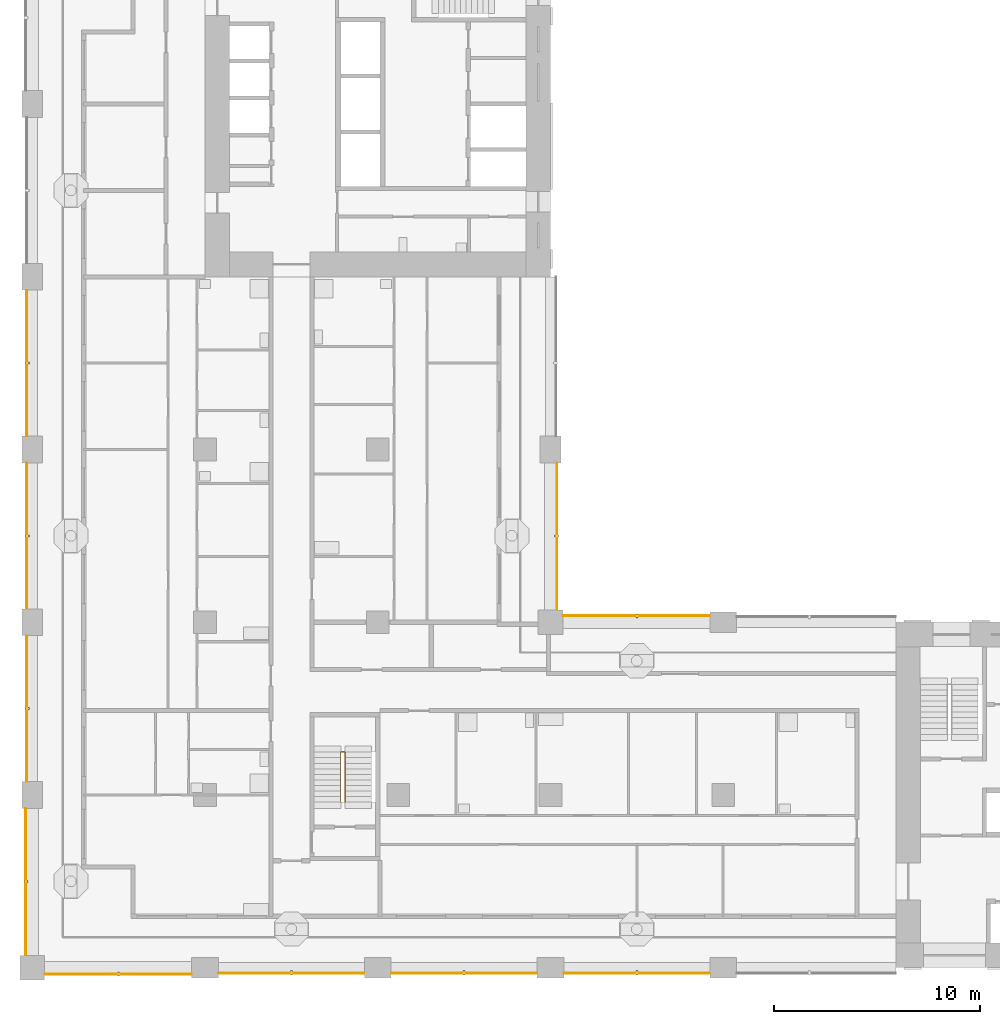
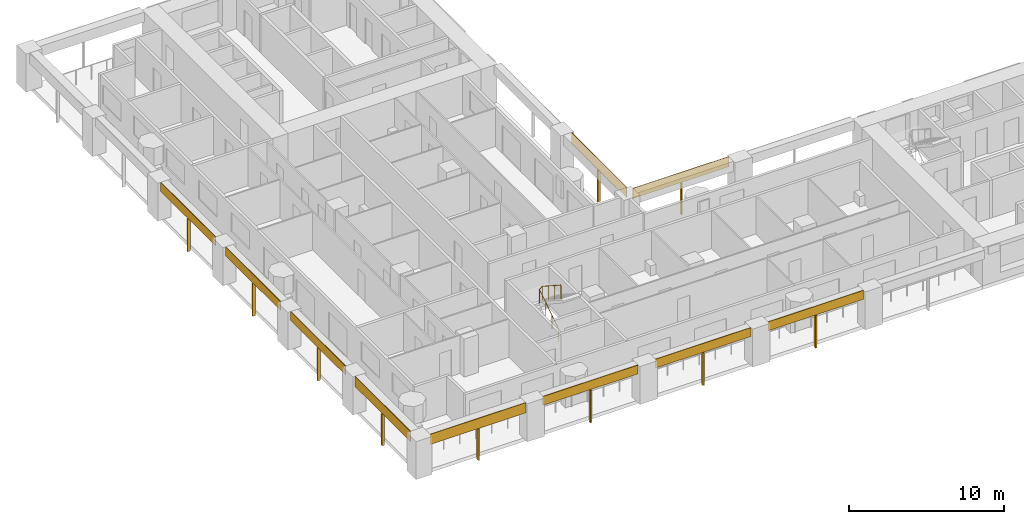
# One storey, part 9 of 18: 20 shading devices, 1 railing.
"""IFC4 building model written with IfcOpenShell, lengths in metres."""

from ifc_helpers import new_model, si_unit, direction, frame, origin, origin_2d, place, context, subcontext, project, spatial, rectangle, circle, extrude, material, layer, layer_set, material_profile, profile_set, type_object, element, save


model = new_model("IFC4")

# Units and contexts
model_context = context("Model", 3, precision=1e-05, world=origin(), true_north=direction((0.0, 1.0)))
body_context = subcontext(model_context, "Body", "Model", "MODEL_VIEW")
ifc_project = project(units=[si_unit("LENGTHUNIT", "METRE"), si_unit("AREAUNIT", "SQUARE_METRE"), si_unit("VOLUMEUNIT", "CUBIC_METRE"), si_unit("PLANEANGLEUNIT", "RADIAN"), si_unit("MASSUNIT", "GRAM", prefix="KILO")], contexts=[model_context])

# Site, building, storey
site_placement = place(None, origin())
site = spatial("IfcSite", under=ifc_project, at=site_placement, CompositionType="ELEMENT")
building_placement = place(site_placement, origin())
building = spatial("IfcBuilding", under=site, at=building_placement, Name="Vermilion Gate Residences", CompositionType="ELEMENT")
storey_placement = place(building_placement, frame((0.0, 0.0, 137.199951171875)))
storey = spatial("IfcBuildingStorey", under=building, at=storey_placement, Name="L35", CompositionType="ELEMENT", Elevation=137.199951171875)

# Shading devices
ifc_material_1 = material(Name="Perforated terracotta", Category="masonry")
ifc_layer = layer(ifc_material_1, 0.0400390625)
ifc_layer_set = layer_set([ifc_layer], Name="PERFORATED TERRACOTTA SCREEN 40")
shading_device_type_1 = type_object("IfcShadingDeviceType", Name="PERFORATED TERRACOTTA SCREEN 40", PredefinedType="SHUTTER", material=ifc_layer_set)
shading_device_1_placement = place(storey_placement, frame((4.175048828125, 8.080078125, 2.2001953125), z_axis=(0.0, 0.0, 1.0), x_axis=(1.0, 0.0, 0.0)))
element("IfcShadingDevice", 1, at=shading_device_1_placement, inside=storey, type_object=shading_device_type_1, Name="SCREEN", PredefinedType="SHUTTER", context=body_context, shape_type="SweptSolid", body=[
    extrude(rectangle(XDim=7.14990234375, YDim=0.0400390625, at=origin_2d()), origin(), (0.0, 0.0, 1.0), 0.800048828125),
])
for number, where, z_axis, x_axis, name in (
    (2, (12.60009765625, 8.1298828125, 2.30029296875), (0.0, 0.0, 1.0), (1.0, 0.0, 0.0), "SCREEN"),
    (3, (21.0, 8.1298828125, 2.30029296875), (0.0, 0.0, 1.0), (1.0, 0.0, 0.0), "SCREEN"),
    (4, (29.39990234375, 8.1298828125, 2.30029296875), (0.0, 0.0, 1.0), (1.0, 0.0, 0.0), "SCREEN"),
):
    element("IfcShadingDevice", number, at=place(storey_placement, frame(where, z_axis=z_axis, x_axis=x_axis)), inside=storey, type_object=shading_device_type_1, Name=name, PredefinedType="SHUTTER", context=body_context, shape_type="SweptSolid", body=[
        extrude(rectangle(XDim=7.10009765625, YDim=0.0400390625, at=origin_2d()), origin(), (0.0, 0.0, 1.0), 0.699951171875),
    ])
for number, where, z_axis, x_axis, name in (
    (5, (29.375, 25.52001953125, 2.2001953125), (0.0, 0.0, 1.0), (-1.0, 0.0, 0.0), "SCREEN"),
    (6, (25.52001953125, 29.375, 2.2001953125), (0.0, 0.0, 1.0), (0.0, 1.0, 0.0), "SCREEN"),
    (7, (-0.320068359375, 12.574951171875, 2.2001953125), (0.0, 0.0, 1.0), (0.0, -1.0, 0.0), "SCREEN"),
):
    element("IfcShadingDevice", number, at=place(storey_placement, frame(where, z_axis=z_axis, x_axis=x_axis)), inside=storey, type_object=shading_device_type_1, Name=name, PredefinedType="SHUTTER", context=body_context, shape_type="SweptSolid", body=[
        extrude(rectangle(XDim=7.14990234375, YDim=0.0400390625, at=origin_2d()), origin(), (0.0, 0.0, 1.0), 0.800048828125),
    ])
for number, where, z_axis, x_axis, name in (
    (8, (-0.27001953125, 21.0, 2.30029296875), (0.0, 0.0, 1.0), (0.0, -1.0, 0.0), "SCREEN"),
    (9, (-0.27001953125, 29.39990234375, 2.30029296875), (0.0, 0.0, 1.0), (0.0, -1.0, 0.0), "SCREEN"),
    (10, (-0.27001953125, 37.800048828125, 2.30029296875), (0.0, 0.0, 1.0), (0.0, -1.0, 0.0), "SCREEN"),
):
    element("IfcShadingDevice", number, at=place(storey_placement, frame(where, z_axis=z_axis, x_axis=x_axis)), inside=storey, type_object=shading_device_type_1, Name=name, PredefinedType="SHUTTER", context=body_context, shape_type="SweptSolid", body=[
        extrude(rectangle(XDim=7.10009765625, YDim=0.0400390625, at=origin_2d()), origin(), (0.0, 0.0, 1.0), 0.699951171875),
    ])

# Railing
ifc_material_2 = material(Name="Steel S355", Category="steel")
railing_type = type_object("IfcRailingType", Name="STAIR GUARD 1100 STEEL", PredefinedType="GUARDRAIL", material=ifc_material_2)
railing_placement = place(storey_placement, frame((15.0, 16.449951171875, 0.175048828125)))
element("IfcRailing", 11, at=railing_placement, inside=storey, type_object=railing_type, Name="Stair well guard STC1-35", PredefinedType="GUARDRAIL", context=body_context, shape_type="SweptSolid", body=[
    extrude(circle(Radius=0.02392578125, at=origin_2d()), frame((0.0, 0.0, 1.076171875), z_axis=(0.0, 0.839153699163, 0.543894354798), x_axis=(-1.0, 0.0, 0.0)), (0.0, 0.0, 1.0), 2.895751953125),
    extrude(circle(Radius=0.02392578125, at=origin_2d()), frame((0.0, 2.429931640625, 2.65087890625), z_axis=(0.752405939678, 0.0, 0.658699705433), x_axis=(0.0, 1.0, 0.0)), (0.0, 0.0, 1.0), 0.265869140625),
    extrude(circle(Radius=0.02392578125, at=origin_2d()), frame((0.199951171875, 2.429931640625, 2.826171875), z_axis=(0.0, -0.839153699163, 0.543894354798), x_axis=(1.0, 0.0, 0.0)), (0.0, 0.0, 1.0), 2.895751953125),
    extrude(circle(Radius=0.02099609375, at=origin_2d()), origin(), (0.0, 0.0, 1.0), 1.052001953125),
    extrude(circle(Radius=0.02099609375, at=origin_2d()), frame((0.0, 0.81005859375, 0.52490234375)), (0.0, 0.0, 1.0), 1.052001953125),
    extrude(circle(Radius=0.02099609375, at=origin_2d()), frame((0.0, 1.619873046875, 1.050048828125)), (0.0, 0.0, 1.0), 1.052001953125),
    extrude(circle(Radius=0.02099609375, at=origin_2d()), frame((0.0, 2.429931640625, 1.574951171875)), (0.0, 0.0, 1.0), 1.052001953125),
    extrude(circle(Radius=0.02099609375, at=origin_2d()), frame((0.199951171875, 2.429931640625, 1.75)), (0.0, 0.0, 1.0), 1.052001953125),
    extrude(circle(Radius=0.02099609375, at=origin_2d()), frame((0.199951171875, 1.619873046875, 2.27490234375)), (0.0, 0.0, 1.0), 1.052001953125),
    extrude(circle(Radius=0.02099609375, at=origin_2d()), frame((0.199951171875, 0.81005859375, 2.800048828125)), (0.0, 0.0, 1.0), 1.052001953125),
    extrude(circle(Radius=0.02099609375, at=origin_2d()), frame((0.199951171875, 0.0, 3.324951171875)), (0.0, 0.0, 1.0), 1.052001953125),
])

# Shading devices
ifc_material_3 = material(Name="Extruded terracotta", Category="masonry")
ifc_material_profile = material_profile(ifc_material_3, rectangle(XDim=0.199951171875, YDim=0.10009765625, at=origin_2d()), Name="BAGUETTE 100 X 200")
ifc_profile_set = profile_set([ifc_material_profile], Name="Extruded terracotta")
shading_device_type_2 = type_object("IfcShadingDeviceType", Name="TERRACOTTA BAGUETTE 100 X 200", PredefinedType="JALOUSIE", material=ifc_profile_set)
shading_device_2_placement = place(storey_placement, frame((4.199951171875, 8.10009765625, -0.280029296875), z_axis=(0.0, 0.0, 1.0), x_axis=(0.0, 1.0, 0.0)))
element("IfcShadingDevice", 12, at=shading_device_2_placement, inside=storey, type_object=shading_device_type_2, Name="BAGUETTE", PredefinedType="JALOUSIE", context=body_context, shape_type="SweptSolid", body=[
    extrude(rectangle(XDim=0.199951171875, YDim=0.10009765625, at=origin_2d()), origin(), (0.0, 0.0, 1.0), 2.47998046875),
])
for number, where, z_axis, x_axis, name in (
    (13, (12.60009765625, 8.14990234375, -0.280029296875), (0.0, 0.0, 1.0), (0.0, 1.0, 0.0), "BAGUETTE"),
    (14, (21.0, 8.14990234375, -0.280029296875), (0.0, 0.0, 1.0), (0.0, 1.0, 0.0), "BAGUETTE"),
    (15, (29.39990234375, 8.14990234375, -0.280029296875), (0.0, 0.0, 1.0), (0.0, 1.0, 0.0), "BAGUETTE"),
):
    element("IfcShadingDevice", number, at=place(storey_placement, frame(where, z_axis=z_axis, x_axis=x_axis)), inside=storey, type_object=shading_device_type_2, Name=name, PredefinedType="JALOUSIE", context=body_context, shape_type="SweptSolid", body=[
        extrude(rectangle(XDim=0.199951171875, YDim=0.10009765625, at=origin_2d()), origin(), (0.0, 0.0, 1.0), 2.580078125),
    ])
for number, where, z_axis, x_axis, name in (
    (16, (29.39990234375, 25.5, -0.280029296875), (0.0, 0.0, 1.0), (0.0, -1.0, 0.0), "BAGUETTE"),
    (17, (25.5, 29.39990234375, -0.280029296875), (0.0, 0.0, 1.0), (-1.0, 0.0, 0.0), "BAGUETTE"),
    (18, (-0.300048828125, 12.60009765625, -0.280029296875), (0.0, 0.0, 1.0), (1.0, 0.0, 0.0), "BAGUETTE"),
):
    element("IfcShadingDevice", number, at=place(storey_placement, frame(where, z_axis=z_axis, x_axis=x_axis)), inside=storey, type_object=shading_device_type_2, Name=name, PredefinedType="JALOUSIE", context=body_context, shape_type="SweptSolid", body=[
        extrude(rectangle(XDim=0.199951171875, YDim=0.10009765625, at=origin_2d()), origin(), (0.0, 0.0, 1.0), 2.47998046875),
    ])
for number, where, z_axis, x_axis, name in (
    (19, (-0.25, 21.0, -0.280029296875), (0.0, 0.0, 1.0), (1.0, 0.0, 0.0), "BAGUETTE"),
    (20, (-0.25, 29.39990234375, -0.280029296875), (0.0, 0.0, 1.0), (1.0, 0.0, 0.0), "BAGUETTE"),
    (21, (-0.25, 37.800048828125, -0.280029296875), (0.0, 0.0, 1.0), (1.0, 0.0, 0.0), "BAGUETTE"),
):
    element("IfcShadingDevice", number, at=place(storey_placement, frame(where, z_axis=z_axis, x_axis=x_axis)), inside=storey, type_object=shading_device_type_2, Name=name, PredefinedType="JALOUSIE", context=body_context, shape_type="SweptSolid", body=[
        extrude(rectangle(XDim=0.199951171875, YDim=0.10009765625, at=origin_2d()), origin(), (0.0, 0.0, 1.0), 2.580078125),
    ])

save(model, "model.ifc")
